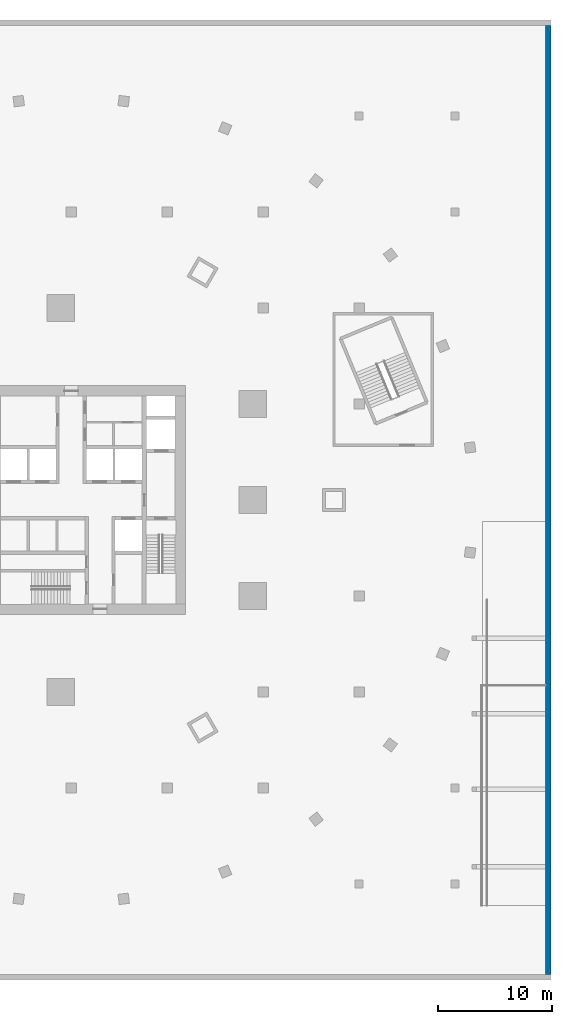
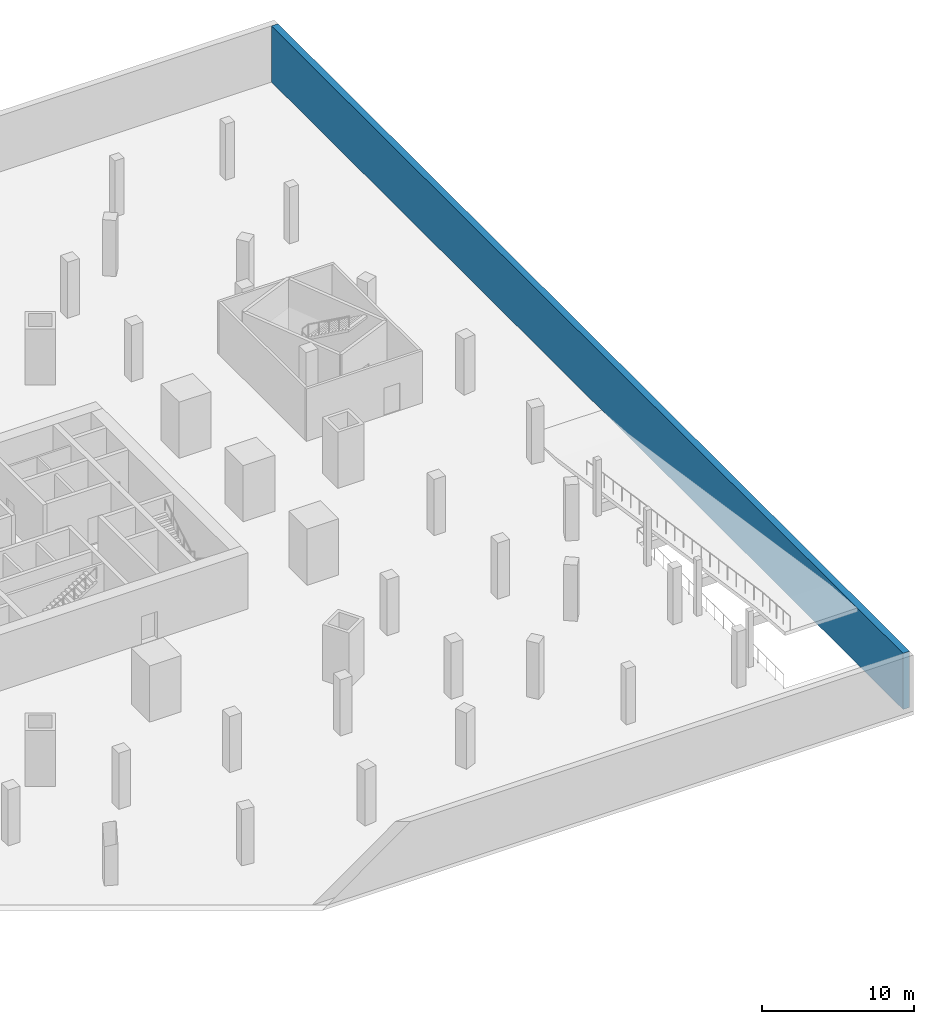
# One storey, part 5 of 9: 1 wall.
"""IFC4 building model written with IfcOpenShell, lengths in metres."""

from ifc_helpers import new_model, si_unit, direction, frame, frame_2d, origin, place, context, subcontext, project, spatial, rectangle, extrude, material, layer, layer_set, type_object, element, save


model = new_model("IFC4")

# Units and contexts
model_context = context("Model", 3, precision=1e-05, world=origin(), true_north=direction((0.0, 1.0)))
body_context = subcontext(model_context, "Body", "Model", "MODEL_VIEW")
ifc_project = project(units=[si_unit("LENGTHUNIT", "METRE"), si_unit("AREAUNIT", "SQUARE_METRE"), si_unit("VOLUMEUNIT", "CUBIC_METRE"), si_unit("PLANEANGLEUNIT", "RADIAN"), si_unit("MASSUNIT", "GRAM", prefix="KILO")], contexts=[model_context])

# Site, building, storey
site_placement = place(None, origin())
site = spatial("IfcSite", under=ifc_project, at=site_placement, CompositionType="ELEMENT")
building_placement = place(site_placement, origin())
building = spatial("IfcBuilding", under=site, at=building_placement, Name="Golbaran Civic Tower", CompositionType="ELEMENT")
storey_placement = place(building_placement, frame((0.0, 0.0, -9.0)))
storey = spatial("IfcBuildingStorey", under=building, at=storey_placement, Name="B2", CompositionType="ELEMENT", Elevation=-9.0)

# Wall
ifc_material = material(Name="Concrete C50/60", Category="concrete")
ifc_layer = layer(ifc_material, 0.5, Name="Concrete C50/60")
ifc_layer_set = layer_set([ifc_layer], Name="Concrete C50/60")
wall_type = type_object("IfcWallType", Name="BASEMENT RETAINING WALL CONCRETE 500", PredefinedType="SOLIDWALL", material=ifc_layer_set)
wall_placement = place(storey_placement, frame((41.75, -41.5, 0.0), z_axis=(0.0, 0.0, 1.0), x_axis=(0.0, 1.0, 0.0)))
element("IfcWall", 1, at=wall_placement, inside=storey, type_object=wall_type, Name="Basement retaining wall E B2", PredefinedType="SOLIDWALL", context=body_context, shape_type="SweptSolid", body=[
    extrude(rectangle(XDim=83.0, YDim=0.5, at=frame_2d((41.5, 0.0))), origin(), (0.0, 0.0, 1.0), 4.5),
])

save(model, "model.ifc")
